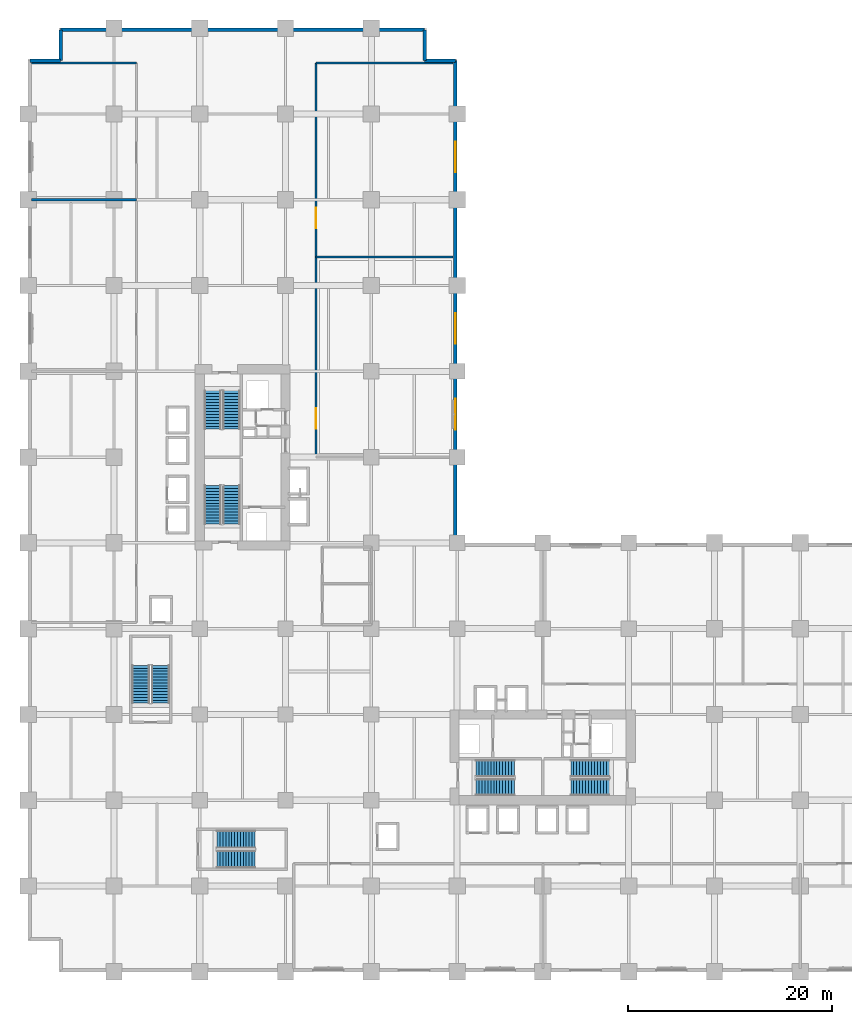
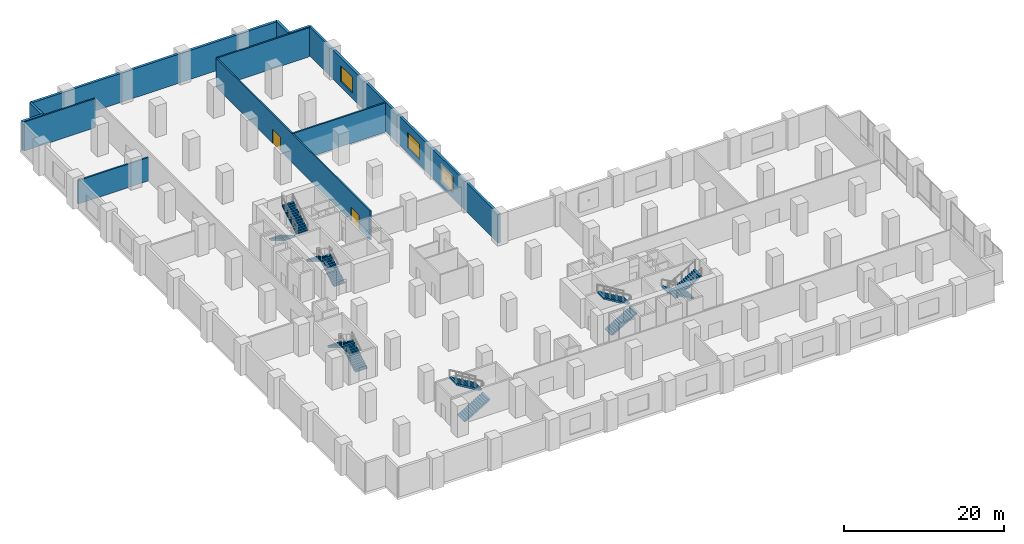
# One storey, part 14 of 22: 12 stair flights, 11 walls, 3 windows, 2 doors, 5 openings, 6 elements without a shape of their own.
"""IFC4 building model written with IfcOpenShell, lengths in metres."""

from ifc_helpers import new_model, si_unit, direction, frame, frame_2d, origin, place, context, subcontext, project, spatial, polyline, rectangle, outline, extrude, material, layer, layer_set, type_object, element, fill, aggregate, save


model = new_model("IFC4")

# Units and contexts
model_context = context("Model", 3, precision=1e-05, world=origin(), true_north=direction((0.0, 1.0)))
body_context = subcontext(model_context, "Body", "Model", "MODEL_VIEW")
ifc_project = project(units=[si_unit("LENGTHUNIT", "METRE"), si_unit("AREAUNIT", "SQUARE_METRE"), si_unit("VOLUMEUNIT", "CUBIC_METRE"), si_unit("PLANEANGLEUNIT", "RADIAN"), si_unit("MASSUNIT", "GRAM", prefix="KILO")], contexts=[model_context])

# Site, building, storey
site_placement = place(None, origin())
site = spatial("IfcSite", under=ifc_project, at=site_placement, CompositionType="ELEMENT")
building_placement = place(site_placement, origin())
building = spatial("IfcBuilding", under=site, at=building_placement, Name="Koriwani Terraces Tower", CompositionType="ELEMENT")
storey_placement = place(building_placement, frame((0.0, 0.0, 10.800048828125)))
storey = spatial("IfcBuildingStorey", under=building, at=storey_placement, Name="L02", CompositionType="ELEMENT", Elevation=10.800048828125)

# Wall, openings, doors
ifc_material_1 = material(Name="Autoclaved Cellular Concrete Blockwork", Category="masonry")
ifc_layer_1 = layer(ifc_material_1, 0.199951171875, Name="Autoclaved Cellular Concrete Blockwork")
ifc_layer_set_1 = layer_set([ifc_layer_1], Name="Autoclaved Cellular Concrete Blockwork")
wall_type_1 = type_object("IfcWallType", Name="WALL_CORRIDOR_200", PredefinedType="PARTITIONING", material=ifc_layer_set_1)
wall_1_placement = place(storey_placement, frame((28.199951171875, 50.39990234375, 0.0), z_axis=(0.0, 0.0, 1.0), x_axis=(0.0, 1.0, 0.0)))
wall_1 = element("IfcWall", 1, at=wall_1_placement, inside=storey, type_object=wall_type_1, Name="L02 Interior Wall WPOD-INW-L02-0", PredefinedType="PARTITIONING", context=body_context, shape_type="SweptSolid", body=[
    extrude(rectangle(XDim=38.60009765625, YDim=0.199951171875, at=frame_2d((19.300048828125, 0.0))), origin(), (0.0, 0.0, 1.0), 4.449951171875),
])
opening_1_placement = place(wall_1_placement, frame((2.800048828125, 0.0, 0.0)))
opening_1 = element("IfcOpeningElement", 2, at=opening_1_placement, cuts=wall_1, Name="Opening D-02", PredefinedType="OPENING", context=body_context, shape_type="SweptSolid", body=[
    extrude(rectangle(XDim=2.0, YDim=2.14990234375, at=frame_2d((1.0, 1.074951171875))), frame((0.0, 0.10986328125, 0.0), z_axis=(0.0, -1.0, 0.0), x_axis=(1.0, 0.0, 0.0)), (0.0, 0.0, 1.0), 0.219970703125),
])
opening_2_placement = place(wall_1_placement, frame((22.39990234375, 0.0, 0.0)))
opening_2 = element("IfcOpeningElement", 3, at=opening_2_placement, cuts=wall_1, Name="Opening D-02", PredefinedType="OPENING", context=body_context, shape_type="SweptSolid", body=[
    extrude(rectangle(XDim=2.0, YDim=2.14990234375, at=frame_2d((1.0, 1.074951171875))), frame((0.0, 0.10986328125, 0.0), z_axis=(0.0, -1.0, 0.0), x_axis=(1.0, 0.0, 0.0)), (0.0, 0.0, 1.0), 0.219970703125),
])
ifc_material_2 = material(Name="Anodised Bronze Aluminium", Category="aluminium")
door_type = type_object("IfcDoorType", Name="DOOR_ENTRANCE_DOUBLE_2000X2400", OperationType="NOTDEFINED", PredefinedType="DOOR", material=ifc_material_2)
door_1_placement = place(opening_1_placement, origin())
door_1 = element("IfcDoor", 4, at=door_1_placement, inside=storey, type_object=door_type, Name="L02 North Galleria Salon 1 Door", OperationType="SINGLE_SWING_RIGHT", OverallHeight=2.14990234375, OverallWidth=2.0, PredefinedType="DOOR", context=body_context, shape_type="SweptSolid", body=[
    extrude(rectangle(XDim=2.0, YDim=2.14990234375, at=frame_2d((1.0, 1.074951171875))), frame((0.0, 0.02490234375, 0.0), z_axis=(0.0, -1.0, 0.0), x_axis=(1.0, 0.0, 0.0)), (0.0, 0.0, 1.0), 0.050048828125),
])
fill(opening_1, door_1)
door_2_placement = place(opening_2_placement, origin())
door_2 = element("IfcDoor", 5, at=door_2_placement, inside=storey, type_object=door_type, Name="L02 North Galleria Salon 2 Door", OperationType="SINGLE_SWING_LEFT", OverallHeight=2.14990234375, OverallWidth=2.0, PredefinedType="DOOR", context=body_context, shape_type="SweptSolid", body=[
    extrude(rectangle(XDim=2.0, YDim=2.14990234375, at=frame_2d((1.0, 1.074951171875))), frame((0.0, 0.02490234375, 0.0), z_axis=(0.0, -1.0, 0.0), x_axis=(1.0, 0.0, 0.0)), (0.0, 0.0, 1.0), 0.050048828125),
])
fill(opening_2, door_2)

# Walls
ifc_layer_2 = layer(ifc_material_1, 0.219970703125, Name="Autoclaved Cellular Concrete Blockwork")
ifc_layer_set_2 = layer_set([ifc_layer_2], Name="Autoclaved Cellular Concrete Blockwork")
wall_type_2 = type_object("IfcWallType", Name="WALL_DEMISING_220", PredefinedType="PARTITIONING", material=ifc_layer_set_2)
wall_2_placement = place(storey_placement, frame((0.35009765625, 75.60009765625, 0.0), z_axis=(0.0, 0.0, 1.0), x_axis=(1.0, 0.0, 0.0)))
element("IfcWall", 6, at=wall_2_placement, inside=storey, type_object=wall_type_2, Name="L02 Interior Wall WPOD-WD-L02-2", PredefinedType="PARTITIONING", context=body_context, shape_type="SweptSolid", body=[
    extrude(rectangle(XDim=10.25, YDim=0.219970703125, at=frame_2d((5.125, 0.0))), origin(), (0.0, 0.0, 1.0), 3.599853515625),
])
wall_3_placement = place(storey_placement, frame((0.35009765625, 89.0, 0.0), z_axis=(0.0, 0.0, 1.0), x_axis=(1.0, 0.0, 0.0)))
element("IfcWall", 7, at=wall_3_placement, inside=storey, type_object=wall_type_2, Name="L02 Interior Wall WPOD-WDE-L02", PredefinedType="PARTITIONING", context=body_context, shape_type="SweptSolid", body=[
    extrude(rectangle(XDim=10.25, YDim=0.219970703125, at=frame_2d((5.125, 0.0))), origin(), (0.0, 0.0, 1.0), 4.449951171875),
])
for number, where, z_axis, x_axis, name in (
    (8, (28.199951171875, 70.0, 0.0), (0.0, 0.0, 1.0), (1.0, 0.0, 0.0), "L02 Interior Wall WPOD-INWD-L02-1"),
    (9, (28.199951171875, 89.0, 0.0), (0.0, 0.0, 1.0), (1.0, 0.0, 0.0), "L02 Interior Wall WPOD-INWDE-L02"),
):
    element("IfcWall", number, at=place(storey_placement, frame(where, z_axis=z_axis, x_axis=x_axis)), inside=storey, type_object=wall_type_2, Name=name, PredefinedType="PARTITIONING", context=body_context, shape_type="SweptSolid", body=[
        extrude(rectangle(XDim=13.400146484375, YDim=0.219970703125, at=frame_2d((6.7001953125, 0.0))), origin(), (0.0, 0.0, 1.0), 4.449951171875),
    ])
ifc_material_3 = material(Name="Concrete C50/60", Category="concrete")
ifc_layer_3 = layer(ifc_material_3, 0.35009765625, Name="Concrete C50/60")
ifc_layer_set_3 = layer_set([ifc_layer_3], Name="Concrete C50/60")
wall_type_3 = type_object("IfcWallType", Name="WALL_EXT_BRUTALIST_350", PredefinedType="STANDARD", material=ifc_layer_set_3)
for number, where, z_axis, x_axis, name in (
    (10, (0.175048828125, 89.22509765625, 0.0), (0.0, 0.0, 1.0), (1.0, 0.0, 0.0), "L02 Fair-Faced Brutalist Exterior Wall (N3)"),
    (11, (3.175048828125, 89.22509765625, 0.0), (0.0, 0.0, 1.0), (0.0, 1.0, 0.0), "L02 Fair-Faced Brutalist Exterior Wall (N4)"),
):
    element("IfcWall", number, at=place(storey_placement, frame(where, z_axis=z_axis, x_axis=x_axis)), inside=storey, type_object=wall_type_3, Name=name, PredefinedType="STANDARD", context=body_context, shape_type="SweptSolid", body=[
        extrude(rectangle(XDim=3.0, YDim=0.35009765625, at=frame_2d((1.5, 0.0))), origin(), (0.0, 0.0, 1.0), 4.449951171875),
    ])
wall_4_placement = place(storey_placement, frame((3.175048828125, 92.22509765625, 0.0), z_axis=(0.0, 0.0, 1.0), x_axis=(1.0, 0.0, 0.0)))
element("IfcWall", 12, at=wall_4_placement, inside=storey, type_object=wall_type_3, Name="L02 Fair-Faced Brutalist Exterior Wall (N_TIP)", PredefinedType="STANDARD", context=body_context, shape_type="SweptSolid", body=[
    extrude(rectangle(XDim=35.64990234375, YDim=0.35009765625, at=frame_2d((17.824951171875, 0.0))), origin(), (0.0, 0.0, 1.0), 4.449951171875),
])
for number, where, z_axis, x_axis, name in (
    (13, (38.824951171875, 92.22509765625, 0.0), (0.0, 0.0, 1.0), (0.0, -1.0, 0.0), "L02 Fair-Faced Brutalist Exterior Wall (N6)"),
    (14, (38.824951171875, 89.22509765625, 0.0), (0.0, 0.0, 1.0), (1.0, 0.0, 0.0), "L02 Fair-Faced Brutalist Exterior Wall (N7)"),
):
    element("IfcWall", number, at=place(storey_placement, frame(where, z_axis=z_axis, x_axis=x_axis)), inside=storey, type_object=wall_type_3, Name=name, PredefinedType="STANDARD", context=body_context, shape_type="SweptSolid", body=[
        extrude(rectangle(XDim=3.0, YDim=0.35009765625, at=frame_2d((1.5, 0.0))), origin(), (0.0, 0.0, 1.0), 4.449951171875),
    ])

# Wall, openings, windows
wall_5_placement = place(storey_placement, frame((41.824951171875, 89.22509765625, 0.0), z_axis=(0.0, 0.0, 1.0), x_axis=(0.0, -1.0, 0.0)))
wall_5 = element("IfcWall", 15, at=wall_5_placement, inside=storey, type_object=wall_type_3, Name="L02 Fair-Faced Brutalist Exterior Wall (NW_IN)", PredefinedType="STANDARD", context=body_context, shape_type="SweptSolid", body=[
    extrude(rectangle(XDim=47.400146484375, YDim=0.35009765625, at=frame_2d((23.7001953125, 0.0))), origin(), (0.0, 0.0, 1.0), 4.449951171875),
])
opening_3_placement = place(wall_5_placement, frame((33.125, 0.0, 0.85009765625)))
opening_3 = element("IfcOpeningElement", 16, at=opening_3_placement, cuts=wall_5, Name="Opening W-06", PredefinedType="OPENING", context=body_context, shape_type="SweptSolid", body=[
    extrude(rectangle(XDim=3.0, YDim=2.39990234375, at=frame_2d((1.5, 1.199951171875))), frame((0.0, 0.18505859375, 0.0), z_axis=(0.0, -1.0, 0.0), x_axis=(1.0, 0.0, 0.0)), (0.0, 0.0, 1.0), 0.3701171875),
])
opening_4_placement = place(wall_5_placement, frame((24.72509765625, 0.0, 0.85009765625)))
opening_4 = element("IfcOpeningElement", 17, at=opening_4_placement, cuts=wall_5, Name="Opening W-06", PredefinedType="OPENING", context=body_context, shape_type="SweptSolid", body=[
    extrude(rectangle(XDim=3.0, YDim=2.39990234375, at=frame_2d((1.5, 1.199951171875))), frame((0.0, 0.18505859375, 0.0), z_axis=(0.0, -1.0, 0.0), x_axis=(1.0, 0.0, 0.0)), (0.0, 0.0, 1.0), 0.3701171875),
])
opening_5_placement = place(wall_5_placement, frame((7.925048828125, 0.0, 0.85009765625)))
opening_5 = element("IfcOpeningElement", 18, at=opening_5_placement, cuts=wall_5, Name="Opening W-06", PredefinedType="OPENING", context=body_context, shape_type="SweptSolid", body=[
    extrude(rectangle(XDim=3.0, YDim=2.39990234375, at=frame_2d((1.5, 1.199951171875))), frame((0.0, 0.18505859375, 0.0), z_axis=(0.0, -1.0, 0.0), x_axis=(1.0, 0.0, 0.0)), (0.0, 0.0, 1.0), 0.3701171875),
])
ifc_material_4 = material(Name="Tempered Laminated Low-E Glass", Category="glass")
window_type = type_object("IfcWindowType", Name="WIN_PODIUM_PUNCHED_3000X2400", PartitioningType="TRIPLE_PANEL_VERTICAL", PredefinedType="WINDOW", material=ifc_material_4)
window_1_placement = place(opening_3_placement, origin())
window_1 = element("IfcWindow", 19, at=window_1_placement, inside=storey, type_object=window_type, Name="L02 Exterior Window (NW_IN-5)", OverallHeight=2.39990234375, OverallWidth=3.0, PartitioningType="SINGLE_PANEL", PredefinedType="WINDOW", context=body_context, shape_type="SweptSolid", body=[
    extrude(rectangle(XDim=3.0, YDim=2.39990234375, at=frame_2d((1.5, 1.199951171875))), frame((0.0, 0.030029296875, 0.0), z_axis=(0.0, -1.0, 0.0), x_axis=(1.0, 0.0, 0.0)), (0.0, 0.0, 1.0), 0.06005859375),
])
fill(opening_3, window_1)
window_2_placement = place(opening_4_placement, origin())
window_2 = element("IfcWindow", 20, at=window_2_placement, inside=storey, type_object=window_type, Name="L02 Exterior Window (NW_IN-8)", OverallHeight=2.39990234375, OverallWidth=3.0, PartitioningType="SINGLE_PANEL", PredefinedType="WINDOW", context=body_context, shape_type="SweptSolid", body=[
    extrude(rectangle(XDim=3.0, YDim=2.39990234375, at=frame_2d((1.5, 1.199951171875))), frame((0.0, 0.030029296875, 0.0), z_axis=(0.0, -1.0, 0.0), x_axis=(1.0, 0.0, 0.0)), (0.0, 0.0, 1.0), 0.06005859375),
])
fill(opening_4, window_2)
window_3_placement = place(opening_5_placement, origin())
window_3 = element("IfcWindow", 21, at=window_3_placement, inside=storey, type_object=window_type, Name="L02 Exterior Window (NW_IN-14)", OverallHeight=2.39990234375, OverallWidth=3.0, PartitioningType="SINGLE_PANEL", PredefinedType="WINDOW", context=body_context, shape_type="SweptSolid", body=[
    extrude(rectangle(XDim=3.0, YDim=2.39990234375, at=frame_2d((1.5, 1.199951171875))), frame((0.0, 0.030029296875, 0.0), z_axis=(0.0, -1.0, 0.0), x_axis=(1.0, 0.0, 0.0)), (0.0, 0.0, 1.0), 0.06005859375),
])
fill(opening_5, window_3)

# Stair, stair flights
ifc_material_5 = material(Name="Concrete C40/50", Category="concrete")
stair_type_1 = type_object("IfcStairType", Name="STAIR_PODIUM_DOGLEG_1750", PredefinedType="TWO_STRAIGHT_RUN_STAIR", material=ifc_material_5)
stair_1_placement = place(storey_placement, origin())
stair_1 = element("IfcStair", 22, at=stair_1_placement, inside=storey, type_object=stair_type_1, Name="L02 Podium West Exit Stair", PredefinedType="HALF_TURN_STAIR")
stair_flight_type_1 = type_object("IfcStairFlightType", Name="STAIR_FLIGHT_POD_1750", PredefinedType="STRAIGHT", material=ifc_material_5)
stair_flight_1_placement = place(storey_placement, frame((12.97509765625, 26.300048828125, 0.0), z_axis=(0.0, 0.0, 1.0), x_axis=(0.0, 1.0, 0.0)))
stair_flight_1 = element("IfcStairFlight", 23, at=stair_flight_1_placement, type_object=stair_flight_type_1, Name="ST-P1 flight 1", NumberOfRisers=14, NumberOfTreads=13, PredefinedType="STRAIGHT", RiserHeight=0.171428571, TreadLength=0.285, context=body_context, shape_type="SweptSolid", body=[
    extrude(outline(polyline([(0.0, 0.0), (0.0, 0.17138671875), (0.284912109375, 0.17138671875), (0.284912109375, 0.3427734375), (0.570068359375, 0.3427734375), (0.570068359375, 0.514404296875), (0.85498046875, 0.514404296875), (0.85498046875, 0.685791015625), (1.139892578125, 0.685791015625), (1.139892578125, 0.857177734375), (1.425048828125, 0.857177734375), (1.425048828125, 1.028564453125), (1.7099609375, 1.028564453125), (1.7099609375, 1.199951171875), (1.9951171875, 1.199951171875), (1.9951171875, 1.371337890625), (2.280029296875, 1.371337890625), (2.280029296875, 1.54296875), (2.56494140625, 1.54296875), (2.56494140625, 1.71435546875), (2.85009765625, 1.71435546875), (2.85009765625, 1.8857421875), (3.135009765625, 1.8857421875), (3.135009765625, 2.05712890625), (3.419921875, 2.05712890625), (3.419921875, 2.228515625), (3.705078125, 2.228515625), (3.705078125, 2.39990234375), (3.705078125, 1.9951171875), (0.387939453125, 0.0), (0.0, 0.0)])), frame((0.0, 0.875, 0.0), z_axis=(0.0, -1.0, 0.0), x_axis=(1.0, 0.0, 0.0)), (0.0, 0.0, 1.0), 1.75),
])
stair_flight_2_placement = place(storey_placement, frame((11.02490234375, 30.0048828125, 2.39990234375), z_axis=(0.0, 0.0, 1.0), x_axis=(0.0, -1.0, 0.0)))
stair_flight_2 = element("IfcStairFlight", 24, at=stair_flight_2_placement, type_object=stair_flight_type_1, Name="ST-P1 flight 2", NumberOfRisers=14, NumberOfTreads=13, PredefinedType="STRAIGHT", RiserHeight=0.171428571, TreadLength=0.285, context=body_context, shape_type="SweptSolid", body=[
    extrude(outline(polyline([(0.0, 0.0), (0.0, 0.17138671875), (0.284912109375, 0.17138671875), (0.284912109375, 0.3427734375), (0.570068359375, 0.3427734375), (0.570068359375, 0.514404296875), (0.85498046875, 0.514404296875), (0.85498046875, 0.685791015625), (1.139892578125, 0.685791015625), (1.139892578125, 0.857177734375), (1.425048828125, 0.857177734375), (1.425048828125, 1.028564453125), (1.7099609375, 1.028564453125), (1.7099609375, 1.199951171875), (1.9951171875, 1.199951171875), (1.9951171875, 1.371337890625), (2.280029296875, 1.371337890625), (2.280029296875, 1.54296875), (2.56494140625, 1.54296875), (2.56494140625, 1.71435546875), (2.85009765625, 1.71435546875), (2.85009765625, 1.8857421875), (3.135009765625, 1.8857421875), (3.135009765625, 2.05712890625), (3.419921875, 2.05712890625), (3.419921875, 2.228515625), (3.705078125, 2.228515625), (3.705078125, 2.39990234375), (3.705078125, 1.9951171875), (0.387939453125, 0.0), (0.0, 0.0)])), frame((0.0, 0.875, 0.0), z_axis=(0.0, -1.0, 0.0), x_axis=(1.0, 0.0, 0.0)), (0.0, 0.0, 1.0), 1.75),
])
aggregate(stair_1, [stair_flight_1, stair_flight_2])

stair_2_placement = place(storey_placement, origin())
stair_2 = element("IfcStair", 25, at=stair_2_placement, inside=storey, type_object=stair_type_1, Name="L02 Podium South Exit Stair", PredefinedType="HALF_TURN_STAIR")
stair_flight_3_placement = place(storey_placement, frame((18.5, 11.02490234375, 0.0), z_axis=(0.0, 0.0, 1.0), x_axis=(1.0, 0.0, 0.0)))
stair_flight_3 = element("IfcStairFlight", 26, at=stair_flight_3_placement, type_object=stair_flight_type_1, Name="ST-P2 flight 1", NumberOfRisers=14, NumberOfTreads=13, PredefinedType="STRAIGHT", RiserHeight=0.171428571, TreadLength=0.285, context=body_context, shape_type="SweptSolid", body=[
    extrude(outline(polyline([(0.0, 0.0), (0.0, 0.17138671875), (0.284912109375, 0.17138671875), (0.284912109375, 0.3427734375), (0.570068359375, 0.3427734375), (0.570068359375, 0.514404296875), (0.85498046875, 0.514404296875), (0.85498046875, 0.685791015625), (1.139892578125, 0.685791015625), (1.139892578125, 0.857177734375), (1.425048828125, 0.857177734375), (1.425048828125, 1.028564453125), (1.7099609375, 1.028564453125), (1.7099609375, 1.199951171875), (1.9951171875, 1.199951171875), (1.9951171875, 1.371337890625), (2.280029296875, 1.371337890625), (2.280029296875, 1.54296875), (2.56494140625, 1.54296875), (2.56494140625, 1.71435546875), (2.85009765625, 1.71435546875), (2.85009765625, 1.8857421875), (3.135009765625, 1.8857421875), (3.135009765625, 2.05712890625), (3.419921875, 2.05712890625), (3.419921875, 2.228515625), (3.705078125, 2.228515625), (3.705078125, 2.39990234375), (3.705078125, 1.9951171875), (0.387939453125, 0.0), (0.0, 0.0)])), frame((0.0, 0.875, 0.0), z_axis=(0.0, -1.0, 0.0), x_axis=(1.0, 0.0, 0.0)), (0.0, 0.0, 1.0), 1.75),
])
stair_flight_4_placement = place(storey_placement, frame((22.205078125, 12.97509765625, 2.39990234375), z_axis=(0.0, 0.0, 1.0), x_axis=(-1.0, 0.0, 0.0)))
stair_flight_4 = element("IfcStairFlight", 27, at=stair_flight_4_placement, type_object=stair_flight_type_1, Name="ST-P2 flight 2", NumberOfRisers=14, NumberOfTreads=13, PredefinedType="STRAIGHT", RiserHeight=0.171428571, TreadLength=0.285, context=body_context, shape_type="SweptSolid", body=[
    extrude(outline(polyline([(0.0, 0.0), (0.0, 0.17138671875), (0.284912109375, 0.17138671875), (0.284912109375, 0.3427734375), (0.570068359375, 0.3427734375), (0.570068359375, 0.514404296875), (0.85498046875, 0.514404296875), (0.85498046875, 0.685791015625), (1.139892578125, 0.685791015625), (1.139892578125, 0.857177734375), (1.425048828125, 0.857177734375), (1.425048828125, 1.028564453125), (1.7099609375, 1.028564453125), (1.7099609375, 1.199951171875), (1.9951171875, 1.199951171875), (1.9951171875, 1.371337890625), (2.280029296875, 1.371337890625), (2.280029296875, 1.54296875), (2.56494140625, 1.54296875), (2.56494140625, 1.71435546875), (2.85009765625, 1.71435546875), (2.85009765625, 1.8857421875), (3.135009765625, 1.8857421875), (3.135009765625, 2.05712890625), (3.419921875, 2.05712890625), (3.419921875, 2.228515625), (3.705078125, 2.228515625), (3.705078125, 2.39990234375), (3.705078125, 1.9951171875), (0.387939453125, 0.0), (0.0, 0.0)])), frame((0.0, 0.875, 0.0), z_axis=(0.0, -1.0, 0.0), x_axis=(1.0, 0.0, 0.0)), (0.0, 0.0, 1.0), 1.75),
])
aggregate(stair_2, [stair_flight_3, stair_flight_4])

stair_type_2 = type_object("IfcStairType", Name="STAIR_CORE_DOGLEG_1650", PredefinedType="TWO_STRAIGHT_RUN_STAIR", material=ifc_material_5)
stair_3_placement = place(storey_placement, origin())
stair_3 = element("IfcStair", 28, at=stair_3_placement, inside=storey, type_object=stair_type_2, Name="L02 West Core Exit Stair 1", PredefinedType="HALF_TURN_STAIR")
stair_flight_type_2 = type_object("IfcStairFlightType", Name="STAIR_FLIGHT_RC_1650", PredefinedType="STRAIGHT", material=ifc_material_5)
stair_flight_5_placement = place(storey_placement, frame((19.925048828125, 43.85009765625, 0.0), z_axis=(0.0, 0.0, 1.0), x_axis=(0.0, 1.0, 0.0)))
stair_flight_5 = element("IfcStairFlight", 29, at=stair_flight_5_placement, type_object=stair_flight_type_2, Name="ST-W1 flight 1", NumberOfRisers=14, NumberOfTreads=13, PredefinedType="STRAIGHT", RiserHeight=0.171428571, TreadLength=0.29, context=body_context, shape_type="SweptSolid", body=[
    extrude(outline(polyline([(0.0, 0.0), (0.0, 0.17138671875), (0.2900390625, 0.17138671875), (0.2900390625, 0.3427734375), (0.580078125, 0.3427734375), (0.580078125, 0.514404296875), (0.8701171875, 0.514404296875), (0.8701171875, 0.685791015625), (1.159912109375, 0.685791015625), (1.159912109375, 0.857177734375), (1.449951171875, 0.857177734375), (1.449951171875, 1.028564453125), (1.739990234375, 1.028564453125), (1.739990234375, 1.199951171875), (2.030029296875, 1.199951171875), (2.030029296875, 1.371337890625), (2.320068359375, 1.371337890625), (2.320068359375, 1.54296875), (2.610107421875, 1.54296875), (2.610107421875, 1.71435546875), (2.89990234375, 1.71435546875), (2.89990234375, 1.8857421875), (3.18994140625, 1.8857421875), (3.18994140625, 2.05712890625), (3.47998046875, 2.05712890625), (3.47998046875, 2.228515625), (3.77001953125, 2.228515625), (3.77001953125, 2.39990234375), (3.77001953125, 2.01953125), (0.353515625, 0.0), (0.0, 0.0)])), frame((0.0, 0.824951171875, 0.0), z_axis=(0.0, -1.0, 0.0), x_axis=(1.0, 0.0, 0.0)), (0.0, 0.0, 1.0), 1.64990234375),
])
stair_flight_6_placement = place(storey_placement, frame((18.074951171875, 47.6201171875, 2.39990234375), z_axis=(0.0, 0.0, 1.0), x_axis=(0.0, -1.0, 0.0)))
stair_flight_6 = element("IfcStairFlight", 30, at=stair_flight_6_placement, type_object=stair_flight_type_2, Name="ST-W1 flight 2", NumberOfRisers=14, NumberOfTreads=13, PredefinedType="STRAIGHT", RiserHeight=0.171428571, TreadLength=0.29, context=body_context, shape_type="SweptSolid", body=[
    extrude(outline(polyline([(0.0, 0.0), (0.0, 0.17138671875), (0.2900390625, 0.17138671875), (0.2900390625, 0.3427734375), (0.580078125, 0.3427734375), (0.580078125, 0.514404296875), (0.8701171875, 0.514404296875), (0.8701171875, 0.685791015625), (1.159912109375, 0.685791015625), (1.159912109375, 0.857177734375), (1.449951171875, 0.857177734375), (1.449951171875, 1.028564453125), (1.739990234375, 1.028564453125), (1.739990234375, 1.199951171875), (2.030029296875, 1.199951171875), (2.030029296875, 1.371337890625), (2.320068359375, 1.371337890625), (2.320068359375, 1.54296875), (2.610107421875, 1.54296875), (2.610107421875, 1.71435546875), (2.89990234375, 1.71435546875), (2.89990234375, 1.8857421875), (3.18994140625, 1.8857421875), (3.18994140625, 2.05712890625), (3.47998046875, 2.05712890625), (3.47998046875, 2.228515625), (3.77001953125, 2.228515625), (3.77001953125, 2.39990234375), (3.77001953125, 2.01953125), (0.353515625, 0.0), (0.0, 0.0)])), frame((0.0, 0.824951171875, 0.0), z_axis=(0.0, -1.0, 0.0), x_axis=(1.0, 0.0, 0.0)), (0.0, 0.0, 1.0), 1.64990234375),
])
aggregate(stair_3, [stair_flight_5, stair_flight_6])

stair_4_placement = place(storey_placement, origin())
stair_4 = element("IfcStair", 31, at=stair_4_placement, inside=storey, type_object=stair_type_2, Name="L02 West Core Exit Stair 2", PredefinedType="HALF_TURN_STAIR")
stair_flight_7_placement = place(storey_placement, frame((18.074951171875, 56.89990234375, 0.0), z_axis=(0.0, 0.0, 1.0), x_axis=(0.0, -1.0, 0.0)))
stair_flight_7 = element("IfcStairFlight", 32, at=stair_flight_7_placement, type_object=stair_flight_type_2, Name="ST-W2 flight 1", NumberOfRisers=14, NumberOfTreads=13, PredefinedType="STRAIGHT", RiserHeight=0.171428571, TreadLength=0.29, context=body_context, shape_type="SweptSolid", body=[
    extrude(outline(polyline([(0.0, 0.0), (0.0, 0.17138671875), (0.2900390625, 0.17138671875), (0.2900390625, 0.3427734375), (0.580078125, 0.3427734375), (0.580078125, 0.514404296875), (0.8701171875, 0.514404296875), (0.8701171875, 0.685791015625), (1.159912109375, 0.685791015625), (1.159912109375, 0.857177734375), (1.449951171875, 0.857177734375), (1.449951171875, 1.028564453125), (1.739990234375, 1.028564453125), (1.739990234375, 1.199951171875), (2.030029296875, 1.199951171875), (2.030029296875, 1.371337890625), (2.320068359375, 1.371337890625), (2.320068359375, 1.54296875), (2.610107421875, 1.54296875), (2.610107421875, 1.71435546875), (2.89990234375, 1.71435546875), (2.89990234375, 1.8857421875), (3.18994140625, 1.8857421875), (3.18994140625, 2.05712890625), (3.47998046875, 2.05712890625), (3.47998046875, 2.228515625), (3.77001953125, 2.228515625), (3.77001953125, 2.39990234375), (3.77001953125, 2.01953125), (0.353515625, 0.0), (0.0, 0.0)])), frame((0.0, 0.824951171875, 0.0), z_axis=(0.0, -1.0, 0.0), x_axis=(1.0, 0.0, 0.0)), (0.0, 0.0, 1.0), 1.64990234375),
])
stair_flight_8_placement = place(storey_placement, frame((19.925048828125, 53.1298828125, 2.39990234375), z_axis=(0.0, 0.0, 1.0), x_axis=(0.0, 1.0, 0.0)))
stair_flight_8 = element("IfcStairFlight", 33, at=stair_flight_8_placement, type_object=stair_flight_type_2, Name="ST-W2 flight 2", NumberOfRisers=14, NumberOfTreads=13, PredefinedType="STRAIGHT", RiserHeight=0.171428571, TreadLength=0.29, context=body_context, shape_type="SweptSolid", body=[
    extrude(outline(polyline([(0.0, 0.0), (0.0, 0.17138671875), (0.2900390625, 0.17138671875), (0.2900390625, 0.3427734375), (0.580078125, 0.3427734375), (0.580078125, 0.514404296875), (0.8701171875, 0.514404296875), (0.8701171875, 0.685791015625), (1.159912109375, 0.685791015625), (1.159912109375, 0.857177734375), (1.449951171875, 0.857177734375), (1.449951171875, 1.028564453125), (1.739990234375, 1.028564453125), (1.739990234375, 1.199951171875), (2.030029296875, 1.199951171875), (2.030029296875, 1.371337890625), (2.320068359375, 1.371337890625), (2.320068359375, 1.54296875), (2.610107421875, 1.54296875), (2.610107421875, 1.71435546875), (2.89990234375, 1.71435546875), (2.89990234375, 1.8857421875), (3.18994140625, 1.8857421875), (3.18994140625, 2.05712890625), (3.47998046875, 2.05712890625), (3.47998046875, 2.228515625), (3.77001953125, 2.228515625), (3.77001953125, 2.39990234375), (3.77001953125, 2.01953125), (0.353515625, 0.0), (0.0, 0.0)])), frame((0.0, 0.824951171875, 0.0), z_axis=(0.0, -1.0, 0.0), x_axis=(1.0, 0.0, 0.0)), (0.0, 0.0, 1.0), 1.64990234375),
])
aggregate(stair_4, [stair_flight_7, stair_flight_8])

stair_5_placement = place(storey_placement, origin())
stair_5 = element("IfcStair", 34, at=stair_5_placement, inside=storey, type_object=stair_type_2, Name="L02 East Core Exit Stair 1", PredefinedType="HALF_TURN_STAIR")
stair_flight_9_placement = place(storey_placement, frame((43.85009765625, 18.074951171875, 0.0), z_axis=(0.0, 0.0, 1.0), x_axis=(1.0, 0.0, 0.0)))
stair_flight_9 = element("IfcStairFlight", 35, at=stair_flight_9_placement, type_object=stair_flight_type_2, Name="ST-E1 flight 1", NumberOfRisers=14, NumberOfTreads=13, PredefinedType="STRAIGHT", RiserHeight=0.171428571, TreadLength=0.29, context=body_context, shape_type="SweptSolid", body=[
    extrude(outline(polyline([(0.0, 0.0), (0.0, 0.17138671875), (0.2900390625, 0.17138671875), (0.2900390625, 0.3427734375), (0.580078125, 0.3427734375), (0.580078125, 0.514404296875), (0.8701171875, 0.514404296875), (0.8701171875, 0.685791015625), (1.159912109375, 0.685791015625), (1.159912109375, 0.857177734375), (1.449951171875, 0.857177734375), (1.449951171875, 1.028564453125), (1.739990234375, 1.028564453125), (1.739990234375, 1.199951171875), (2.030029296875, 1.199951171875), (2.030029296875, 1.371337890625), (2.320068359375, 1.371337890625), (2.320068359375, 1.54296875), (2.610107421875, 1.54296875), (2.610107421875, 1.71435546875), (2.89990234375, 1.71435546875), (2.89990234375, 1.8857421875), (3.18994140625, 1.8857421875), (3.18994140625, 2.05712890625), (3.47998046875, 2.05712890625), (3.47998046875, 2.228515625), (3.77001953125, 2.228515625), (3.77001953125, 2.39990234375), (3.77001953125, 2.01953125), (0.353515625, 0.0), (0.0, 0.0)])), frame((0.0, 0.824951171875, 0.0), z_axis=(0.0, -1.0, 0.0), x_axis=(1.0, 0.0, 0.0)), (0.0, 0.0, 1.0), 1.64990234375),
])
stair_flight_10_placement = place(storey_placement, frame((47.6201171875, 19.925048828125, 2.39990234375), z_axis=(0.0, 0.0, 1.0), x_axis=(-1.0, 0.0, 0.0)))
stair_flight_10 = element("IfcStairFlight", 36, at=stair_flight_10_placement, type_object=stair_flight_type_2, Name="ST-E1 flight 2", NumberOfRisers=14, NumberOfTreads=13, PredefinedType="STRAIGHT", RiserHeight=0.171428571, TreadLength=0.29, context=body_context, shape_type="SweptSolid", body=[
    extrude(outline(polyline([(0.0, 0.0), (0.0, 0.17138671875), (0.2900390625, 0.17138671875), (0.2900390625, 0.3427734375), (0.580078125, 0.3427734375), (0.580078125, 0.514404296875), (0.8701171875, 0.514404296875), (0.8701171875, 0.685791015625), (1.159912109375, 0.685791015625), (1.159912109375, 0.857177734375), (1.449951171875, 0.857177734375), (1.449951171875, 1.028564453125), (1.739990234375, 1.028564453125), (1.739990234375, 1.199951171875), (2.030029296875, 1.199951171875), (2.030029296875, 1.371337890625), (2.320068359375, 1.371337890625), (2.320068359375, 1.54296875), (2.610107421875, 1.54296875), (2.610107421875, 1.71435546875), (2.89990234375, 1.71435546875), (2.89990234375, 1.8857421875), (3.18994140625, 1.8857421875), (3.18994140625, 2.05712890625), (3.47998046875, 2.05712890625), (3.47998046875, 2.228515625), (3.77001953125, 2.228515625), (3.77001953125, 2.39990234375), (3.77001953125, 2.01953125), (0.353515625, 0.0), (0.0, 0.0)])), frame((0.0, 0.824951171875, 0.0), z_axis=(0.0, -1.0, 0.0), x_axis=(1.0, 0.0, 0.0)), (0.0, 0.0, 1.0), 1.64990234375),
])
aggregate(stair_5, [stair_flight_9, stair_flight_10])

stair_6_placement = place(storey_placement, origin())
stair_6 = element("IfcStair", 37, at=stair_6_placement, inside=storey, type_object=stair_type_2, Name="L02 East Core Exit Stair 2", PredefinedType="HALF_TURN_STAIR")
stair_flight_11_placement = place(storey_placement, frame((56.89990234375, 19.925048828125, 0.0), z_axis=(0.0, 0.0, 1.0), x_axis=(-1.0, 0.0, 0.0)))
stair_flight_11 = element("IfcStairFlight", 38, at=stair_flight_11_placement, type_object=stair_flight_type_2, Name="ST-E2 flight 1", NumberOfRisers=14, NumberOfTreads=13, PredefinedType="STRAIGHT", RiserHeight=0.171428571, TreadLength=0.29, context=body_context, shape_type="SweptSolid", body=[
    extrude(outline(polyline([(0.0, 0.0), (0.0, 0.17138671875), (0.2900390625, 0.17138671875), (0.2900390625, 0.3427734375), (0.580078125, 0.3427734375), (0.580078125, 0.514404296875), (0.8701171875, 0.514404296875), (0.8701171875, 0.685791015625), (1.159912109375, 0.685791015625), (1.159912109375, 0.857177734375), (1.449951171875, 0.857177734375), (1.449951171875, 1.028564453125), (1.739990234375, 1.028564453125), (1.739990234375, 1.199951171875), (2.030029296875, 1.199951171875), (2.030029296875, 1.371337890625), (2.320068359375, 1.371337890625), (2.320068359375, 1.54296875), (2.610107421875, 1.54296875), (2.610107421875, 1.71435546875), (2.89990234375, 1.71435546875), (2.89990234375, 1.8857421875), (3.18994140625, 1.8857421875), (3.18994140625, 2.05712890625), (3.47998046875, 2.05712890625), (3.47998046875, 2.228515625), (3.77001953125, 2.228515625), (3.77001953125, 2.39990234375), (3.77001953125, 2.01953125), (0.353515625, 0.0), (0.0, 0.0)])), frame((0.0, 0.824951171875, 0.0), z_axis=(0.0, -1.0, 0.0), x_axis=(1.0, 0.0, 0.0)), (0.0, 0.0, 1.0), 1.64990234375),
])
stair_flight_12_placement = place(storey_placement, frame((53.1298828125, 18.074951171875, 2.39990234375), z_axis=(0.0, 0.0, 1.0), x_axis=(1.0, 0.0, 0.0)))
stair_flight_12 = element("IfcStairFlight", 39, at=stair_flight_12_placement, type_object=stair_flight_type_2, Name="ST-E2 flight 2", NumberOfRisers=14, NumberOfTreads=13, PredefinedType="STRAIGHT", RiserHeight=0.171428571, TreadLength=0.29, context=body_context, shape_type="SweptSolid", body=[
    extrude(outline(polyline([(0.0, 0.0), (0.0, 0.17138671875), (0.2900390625, 0.17138671875), (0.2900390625, 0.3427734375), (0.580078125, 0.3427734375), (0.580078125, 0.514404296875), (0.8701171875, 0.514404296875), (0.8701171875, 0.685791015625), (1.159912109375, 0.685791015625), (1.159912109375, 0.857177734375), (1.449951171875, 0.857177734375), (1.449951171875, 1.028564453125), (1.739990234375, 1.028564453125), (1.739990234375, 1.199951171875), (2.030029296875, 1.199951171875), (2.030029296875, 1.371337890625), (2.320068359375, 1.371337890625), (2.320068359375, 1.54296875), (2.610107421875, 1.54296875), (2.610107421875, 1.71435546875), (2.89990234375, 1.71435546875), (2.89990234375, 1.8857421875), (3.18994140625, 1.8857421875), (3.18994140625, 2.05712890625), (3.47998046875, 2.05712890625), (3.47998046875, 2.228515625), (3.77001953125, 2.228515625), (3.77001953125, 2.39990234375), (3.77001953125, 2.01953125), (0.353515625, 0.0), (0.0, 0.0)])), frame((0.0, 0.824951171875, 0.0), z_axis=(0.0, -1.0, 0.0), x_axis=(1.0, 0.0, 0.0)), (0.0, 0.0, 1.0), 1.64990234375),
])
aggregate(stair_6, [stair_flight_11, stair_flight_12])

save(model, "model.ifc")
